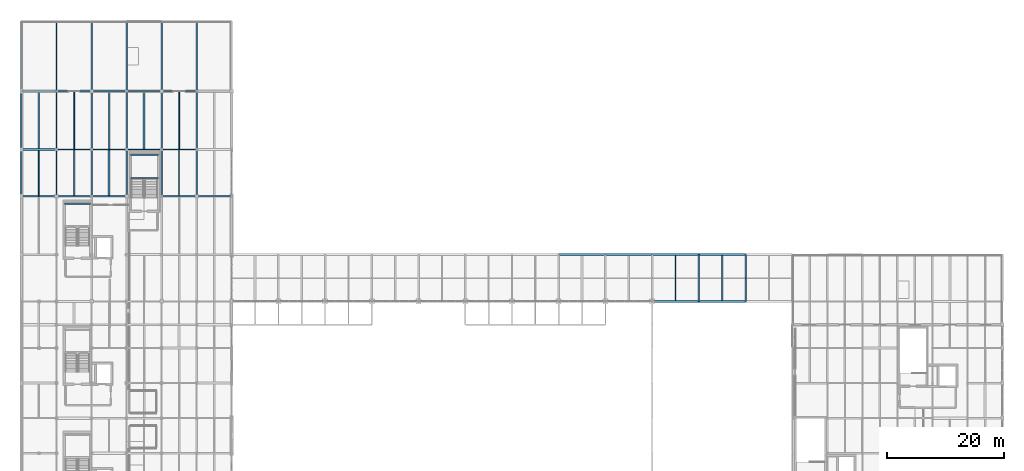
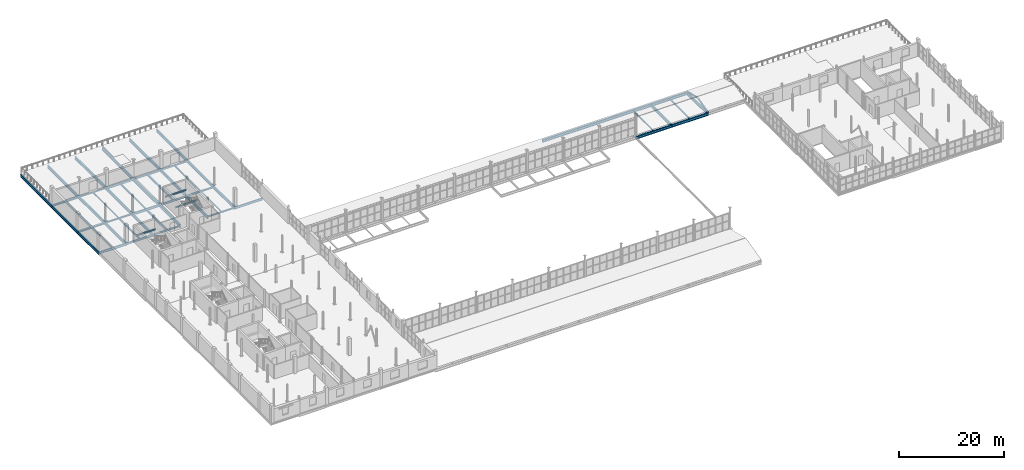
# One storey, part 55 of 96: 55 beams, 2 members.
"""IFC4 building model written with IfcOpenShell, lengths in metres."""

from ifc_helpers import new_model, si_unit, direction, frame, origin, origin_2d, place, context, subcontext, project, spatial, i_section, extrude, material, material_profile, profile_set, type_object, element, save


model = new_model("IFC4")

# Units and contexts
model_context = context("Model", 3, precision=1e-05, world=origin(), true_north=direction((0.0, 1.0)))
body_context = subcontext(model_context, "Body", "Model", "MODEL_VIEW")
ifc_project = project(units=[si_unit("LENGTHUNIT", "METRE"), si_unit("AREAUNIT", "SQUARE_METRE"), si_unit("VOLUMEUNIT", "CUBIC_METRE"), si_unit("PLANEANGLEUNIT", "RADIAN"), si_unit("MASSUNIT", "GRAM", prefix="KILO")], contexts=[model_context])

# Site, building, storey
site_placement = place(None, origin())
site = spatial("IfcSite", under=ifc_project, at=site_placement, CompositionType="ELEMENT")
building_placement = place(site_placement, origin())
building = spatial("IfcBuilding", under=site, at=building_placement, Name="Verrall Gate Interchange", CompositionType="ELEMENT")
storey_placement = place(building_placement, frame((0.0, 0.0, 11.39990234375)))
storey = spatial("IfcBuildingStorey", under=building, at=storey_placement, Name="L03", CompositionType="ELEMENT", Elevation=11.39990234375)

# Beams
ifc_material_1 = material(Name="Structural Steel CSA G40.21 350WT Cat 4", Category="steel")
ifc_material_profile_1 = material_profile(ifc_material_1, i_section(OverallWidth=0.256103515625, OverallDepth=0.693115234375, WebThickness=0.01318359375, FlangeThickness=0.02001953125, FilletRadius=0.01611328125, at=origin_2d()), Name="W690x170")
ifc_profile_set_1 = profile_set([ifc_material_profile_1], Name="Structural Steel CSA G40.21 350WT Cat 4")
beam_type_1 = type_object("IfcBeamType", Name="B-07 Structural Beam W690x170", PredefinedType="BEAM", material=ifc_profile_set_1)
beam_1_placement = place(storey_placement, frame((0.0, 66.0, -0.676513671875), z_axis=(0.0, 1.0, 0.0), x_axis=(-1.0, 0.0, 0.0)))
element("IfcBeam", 1, at=beam_1_placement, inside=storey, type_object=beam_type_1, Name="L03 Girder BM-L03-2184 (B-07)", PredefinedType="BEAM", context=body_context, shape_type="SweptSolid", body=[
    extrude(i_section(OverallWidth=0.256103515625, OverallDepth=0.693115234375, WebThickness=0.01318359375, FlangeThickness=0.02001953125, FilletRadius=0.01611328125, at=origin_2d()), origin(), (0.0, 0.0, 1.0), 8.0),
])
beam_2_placement = place(storey_placement, frame((0.0, 74.0, -0.676513671875), z_axis=(0.0, 1.0, 0.0), x_axis=(-1.0, 0.0, 0.0)))
element("IfcBeam", 2, at=beam_2_placement, inside=storey, type_object=beam_type_1, Name="L03 Girder BM-L03-2185 (B-07)", PredefinedType="BEAM", context=body_context, shape_type="SweptSolid", body=[
    extrude(i_section(OverallWidth=0.256103515625, OverallDepth=0.693115234375, WebThickness=0.01318359375, FlangeThickness=0.02001953125, FilletRadius=0.01611328125, at=origin_2d()), origin(), (0.0, 0.0, 1.0), 10.0),
])
beam_3_placement = place(storey_placement, frame((0.0, 84.0, -0.676513671875), z_axis=(0.0, 1.0, 0.0), x_axis=(-1.0, 0.0, 0.0)))
element("IfcBeam", 3, at=beam_3_placement, inside=storey, type_object=beam_type_1, Name="L03 Girder BM-L03-2186 (B-07)", PredefinedType="BEAM", context=body_context, shape_type="SweptSolid", body=[
    extrude(i_section(OverallWidth=0.256103515625, OverallDepth=0.693115234375, WebThickness=0.01318359375, FlangeThickness=0.02001953125, FilletRadius=0.01611328125, at=origin_2d()), origin(), (0.0, 0.0, 1.0), 12.0),
])
beam_4_placement = place(storey_placement, frame((6.0, 66.0, -0.676513671875), z_axis=(0.0, 1.0, 0.0), x_axis=(-1.0, 0.0, 0.0)))
element("IfcBeam", 4, at=beam_4_placement, inside=storey, type_object=beam_type_1, Name="L03 Girder BM-L03-2199 (B-07)", PredefinedType="BEAM", context=body_context, shape_type="SweptSolid", body=[
    extrude(i_section(OverallWidth=0.256103515625, OverallDepth=0.693115234375, WebThickness=0.01318359375, FlangeThickness=0.02001953125, FilletRadius=0.01611328125, at=origin_2d()), origin(), (0.0, 0.0, 1.0), 8.0),
])
beam_5_placement = place(storey_placement, frame((6.0, 74.0, -0.676513671875), z_axis=(0.0, 1.0, 0.0), x_axis=(-1.0, 0.0, 0.0)))
element("IfcBeam", 5, at=beam_5_placement, inside=storey, type_object=beam_type_1, Name="L03 Girder BM-L03-2200 (B-07)", PredefinedType="BEAM", context=body_context, shape_type="SweptSolid", body=[
    extrude(i_section(OverallWidth=0.256103515625, OverallDepth=0.693115234375, WebThickness=0.01318359375, FlangeThickness=0.02001953125, FilletRadius=0.01611328125, at=origin_2d()), origin(), (0.0, 0.0, 1.0), 10.0),
])
beam_6_placement = place(storey_placement, frame((6.0, 84.0, -0.676513671875), z_axis=(0.0, 1.0, 0.0), x_axis=(-1.0, 0.0, 0.0)))
element("IfcBeam", 6, at=beam_6_placement, inside=storey, type_object=beam_type_1, Name="L03 Girder BM-L03-2201 (B-07)", PredefinedType="BEAM", context=body_context, shape_type="SweptSolid", body=[
    extrude(i_section(OverallWidth=0.256103515625, OverallDepth=0.693115234375, WebThickness=0.01318359375, FlangeThickness=0.02001953125, FilletRadius=0.01611328125, at=origin_2d()), origin(), (0.0, 0.0, 1.0), 12.0),
])
beam_7_placement = place(storey_placement, frame((12.0, 66.0, -0.676513671875), z_axis=(0.0, 1.0, 0.0), x_axis=(-1.0, 0.0, 0.0)))
element("IfcBeam", 7, at=beam_7_placement, inside=storey, type_object=beam_type_1, Name="L03 Girder BM-L03-2213 (B-07)", PredefinedType="BEAM", context=body_context, shape_type="SweptSolid", body=[
    extrude(i_section(OverallWidth=0.256103515625, OverallDepth=0.693115234375, WebThickness=0.01318359375, FlangeThickness=0.02001953125, FilletRadius=0.01611328125, at=origin_2d()), origin(), (0.0, 0.0, 1.0), 8.0),
])
beam_8_placement = place(storey_placement, frame((12.0, 74.0, -0.676513671875), z_axis=(0.0, 1.0, 0.0), x_axis=(-1.0, 0.0, 0.0)))
element("IfcBeam", 8, at=beam_8_placement, inside=storey, type_object=beam_type_1, Name="L03 Girder BM-L03-2214 (B-07)", PredefinedType="BEAM", context=body_context, shape_type="SweptSolid", body=[
    extrude(i_section(OverallWidth=0.256103515625, OverallDepth=0.693115234375, WebThickness=0.01318359375, FlangeThickness=0.02001953125, FilletRadius=0.01611328125, at=origin_2d()), origin(), (0.0, 0.0, 1.0), 10.0),
])
beam_9_placement = place(storey_placement, frame((12.0, 84.0, -0.676513671875), z_axis=(0.0, 1.0, 0.0), x_axis=(-1.0, 0.0, 0.0)))
element("IfcBeam", 9, at=beam_9_placement, inside=storey, type_object=beam_type_1, Name="L03 Girder BM-L03-2215 (B-07)", PredefinedType="BEAM", context=body_context, shape_type="SweptSolid", body=[
    extrude(i_section(OverallWidth=0.256103515625, OverallDepth=0.693115234375, WebThickness=0.01318359375, FlangeThickness=0.02001953125, FilletRadius=0.01611328125, at=origin_2d()), origin(), (0.0, 0.0, 1.0), 12.0),
])
beam_10_placement = place(storey_placement, frame((18.0, 66.0, -0.676513671875), z_axis=(0.0, 1.0, 0.0), x_axis=(-1.0, 0.0, 0.0)))
element("IfcBeam", 10, at=beam_10_placement, inside=storey, type_object=beam_type_1, Name="L03 Girder BM-L03-2227 (B-07)", PredefinedType="BEAM", context=body_context, shape_type="SweptSolid", body=[
    extrude(i_section(OverallWidth=0.256103515625, OverallDepth=0.693115234375, WebThickness=0.01318359375, FlangeThickness=0.02001953125, FilletRadius=0.01611328125, at=origin_2d()), origin(), (0.0, 0.0, 1.0), 8.0),
])
beam_11_placement = place(storey_placement, frame((18.0, 74.0, -0.676513671875), z_axis=(0.0, 1.0, 0.0), x_axis=(-1.0, 0.0, 0.0)))
element("IfcBeam", 11, at=beam_11_placement, inside=storey, type_object=beam_type_1, Name="L03 Girder BM-L03-2228 (B-07)", PredefinedType="BEAM", context=body_context, shape_type="SweptSolid", body=[
    extrude(i_section(OverallWidth=0.256103515625, OverallDepth=0.693115234375, WebThickness=0.01318359375, FlangeThickness=0.02001953125, FilletRadius=0.01611328125, at=origin_2d()), origin(), (0.0, 0.0, 1.0), 10.0),
])
beam_12_placement = place(storey_placement, frame((18.0, 84.0, -0.676513671875), z_axis=(0.0, 1.0, 0.0), x_axis=(-1.0, 0.0, 0.0)))
element("IfcBeam", 12, at=beam_12_placement, inside=storey, type_object=beam_type_1, Name="L03 Girder BM-L03-2229 (B-07)", PredefinedType="BEAM", context=body_context, shape_type="SweptSolid", body=[
    extrude(i_section(OverallWidth=0.256103515625, OverallDepth=0.693115234375, WebThickness=0.01318359375, FlangeThickness=0.02001953125, FilletRadius=0.01611328125, at=origin_2d()), origin(), (0.0, 0.0, 1.0), 12.0),
])
beam_13_placement = place(storey_placement, frame((24.0, 66.0, -0.676513671875), z_axis=(0.0, 1.0, 0.0), x_axis=(-1.0, 0.0, 0.0)))
element("IfcBeam", 13, at=beam_13_placement, inside=storey, type_object=beam_type_1, Name="L03 Girder BM-L03-2241 (B-07)", PredefinedType="BEAM", context=body_context, shape_type="SweptSolid", body=[
    extrude(i_section(OverallWidth=0.256103515625, OverallDepth=0.693115234375, WebThickness=0.01318359375, FlangeThickness=0.02001953125, FilletRadius=0.01611328125, at=origin_2d()), origin(), (0.0, 0.0, 1.0), 8.0),
])
beam_14_placement = place(storey_placement, frame((24.0, 74.0, -0.676513671875), z_axis=(0.0, 1.0, 0.0), x_axis=(-1.0, 0.0, 0.0)))
element("IfcBeam", 14, at=beam_14_placement, inside=storey, type_object=beam_type_1, Name="L03 Girder BM-L03-2242 (B-07)", PredefinedType="BEAM", context=body_context, shape_type="SweptSolid", body=[
    extrude(i_section(OverallWidth=0.256103515625, OverallDepth=0.693115234375, WebThickness=0.01318359375, FlangeThickness=0.02001953125, FilletRadius=0.01611328125, at=origin_2d()), origin(), (0.0, 0.0, 1.0), 10.0),
])
beam_15_placement = place(storey_placement, frame((24.0, 84.0, -0.676513671875), z_axis=(0.0, 1.0, 0.0), x_axis=(-1.0, 0.0, 0.0)))
element("IfcBeam", 15, at=beam_15_placement, inside=storey, type_object=beam_type_1, Name="L03 Girder BM-L03-2243 (B-07)", PredefinedType="BEAM", context=body_context, shape_type="SweptSolid", body=[
    extrude(i_section(OverallWidth=0.256103515625, OverallDepth=0.693115234375, WebThickness=0.01318359375, FlangeThickness=0.02001953125, FilletRadius=0.01611328125, at=origin_2d()), origin(), (0.0, 0.0, 1.0), 12.0),
])
beam_16_placement = place(storey_placement, frame((30.0, 66.0, -0.676513671875), z_axis=(0.0, 1.0, 0.0), x_axis=(-1.0, 0.0, 0.0)))
element("IfcBeam", 16, at=beam_16_placement, inside=storey, type_object=beam_type_1, Name="L03 Girder BM-L03-2255 (B-07)", PredefinedType="BEAM", context=body_context, shape_type="SweptSolid", body=[
    extrude(i_section(OverallWidth=0.256103515625, OverallDepth=0.693115234375, WebThickness=0.01318359375, FlangeThickness=0.02001953125, FilletRadius=0.01611328125, at=origin_2d()), origin(), (0.0, 0.0, 1.0), 8.0),
])
beam_17_placement = place(storey_placement, frame((30.0, 74.0, -0.676513671875), z_axis=(0.0, 1.0, 0.0), x_axis=(-1.0, 0.0, 0.0)))
element("IfcBeam", 17, at=beam_17_placement, inside=storey, type_object=beam_type_1, Name="L03 Girder BM-L03-2256 (B-07)", PredefinedType="BEAM", context=body_context, shape_type="SweptSolid", body=[
    extrude(i_section(OverallWidth=0.256103515625, OverallDepth=0.693115234375, WebThickness=0.01318359375, FlangeThickness=0.02001953125, FilletRadius=0.01611328125, at=origin_2d()), origin(), (0.0, 0.0, 1.0), 10.0),
])
beam_18_placement = place(storey_placement, frame((30.0, 84.0, -0.676513671875), z_axis=(0.0, 1.0, 0.0), x_axis=(-1.0, 0.0, 0.0)))
element("IfcBeam", 18, at=beam_18_placement, inside=storey, type_object=beam_type_1, Name="L03 Girder BM-L03-2257 (B-07)", PredefinedType="BEAM", context=body_context, shape_type="SweptSolid", body=[
    extrude(i_section(OverallWidth=0.256103515625, OverallDepth=0.693115234375, WebThickness=0.01318359375, FlangeThickness=0.02001953125, FilletRadius=0.01611328125, at=origin_2d()), origin(), (0.0, 0.0, 1.0), 12.0),
])
for number, where, z_axis, x_axis, name in (
    (19, (116.0, 48.0, -0.676513671875), (0.0, 1.0, 0.0), (-1.0, 0.0, 0.0), "L03 Girder BM-L03-2321 (B-07)"),
    (20, (124.0, 48.0, -0.676513671875), (0.0, 1.0, 0.0), (-1.0, 0.0, 0.0), "L03 Girder BM-L03-2322 (B-07)"),
):
    element("IfcBeam", number, at=place(storey_placement, frame(where, z_axis=z_axis, x_axis=x_axis)), inside=storey, type_object=beam_type_1, Name=name, PredefinedType="BEAM", context=body_context, shape_type="SweptSolid", body=[
        extrude(i_section(OverallWidth=0.256103515625, OverallDepth=0.693115234375, WebThickness=0.01318359375, FlangeThickness=0.02001953125, FilletRadius=0.01611328125, at=origin_2d()), origin(), (0.0, 0.0, 1.0), 8.0),
    ])
ifc_material_2 = material(Name="Structural Steel CSA G40.21 350WT Cat 4", Category="steel")
ifc_material_profile_2 = material_profile(ifc_material_2, i_section(OverallWidth=0.323974609375, OverallDepth=0.611083984375, WebThickness=0.0126953125, FlangeThickness=0.01904296875, FilletRadius=0.014892578125, at=origin_2d()), Name="W610x155")
ifc_profile_set_2 = profile_set([ifc_material_profile_2], Name="Structural Steel CSA G40.21 350WT Cat 4")
beam_type_2 = type_object("IfcBeamType", Name="B-08 Structural Beam W610x155", PredefinedType="BEAM", material=ifc_profile_set_2)
for number, where, z_axis, x_axis, name in (
    (21, (108.0, 48.0, -0.635498046875), (1.0, 0.0, 0.0), (0.0, 1.0, 0.0), "L03 Girder BM-L03-2119 (B-08)"),
    (22, (116.0, 48.0, -0.635498046875), (1.0, 0.0, 0.0), (0.0, 1.0, 0.0), "L03 Girder BM-L03-2120 (B-08)"),
    (23, (92.0, 56.0, -0.635498046875), (1.0, 0.0, 0.0), (0.0, 1.0, 0.0), "L03 Girder BM-L03-2139 (B-08)"),
    (24, (100.0, 56.0, -0.635498046875), (1.0, 0.0, 0.0), (0.0, 1.0, 0.0), "L03 Girder BM-L03-2140 (B-08)"),
    (25, (108.0, 56.0, -0.635498046875), (1.0, 0.0, 0.0), (0.0, 1.0, 0.0), "L03 Girder BM-L03-2141 (B-08)"),
    (26, (116.0, 56.0, -0.635498046875), (1.0, 0.0, 0.0), (0.0, 1.0, 0.0), "L03 Girder BM-L03-2142 (B-08)"),
):
    element("IfcBeam", number, at=place(storey_placement, frame(where, z_axis=z_axis, x_axis=x_axis)), inside=storey, type_object=beam_type_2, Name=name, PredefinedType="BEAM", context=body_context, shape_type="SweptSolid", body=[
        extrude(i_section(OverallWidth=0.323974609375, OverallDepth=0.611083984375, WebThickness=0.0126953125, FlangeThickness=0.01904296875, FilletRadius=0.014892578125, at=origin_2d()), origin(), (0.0, 0.0, 1.0), 8.0),
    ])
ifc_material_3 = material(Name="Structural Steel CSA G40.21 350W", Category="steel")
ifc_material_profile_3 = material_profile(ifc_material_3, i_section(OverallWidth=0.2109375, OverallDepth=0.5390625, WebThickness=0.01171875, FlangeThickness=0.018798828125, FilletRadius=0.013916015625, at=origin_2d()), Name="W530x109")
ifc_profile_set_3 = profile_set([ifc_material_profile_3], Name="Structural Steel CSA G40.21 350W")
beam_type_3 = type_object("IfcBeamType", Name="B-10 Structural Beam W530x109", PredefinedType="BEAM", material=ifc_profile_set_3)
for number, where, z_axis, x_axis, name in (
    (27, (0.0, 66.0, -0.599365234375), (1.0, 0.0, 0.0), (0.0, 1.0, 0.0), "L03 Girder BM-L03-2150 (B-10)"),
    (28, (30.0, 66.0, -0.599365234375), (1.0, 0.0, 0.0), (0.0, 1.0, 0.0), "L03 Girder BM-L03-2154 (B-10)"),
    (29, (12.0, 74.0, -0.599365234375), (1.0, 0.0, 0.0), (0.0, 1.0, 0.0), "L03 Girder BM-L03-2157 (B-10)"),
    (30, (12.0, 84.0, -0.599365234375), (1.0, 0.0, 0.0), (0.0, 1.0, 0.0), "L03 Girder BM-L03-2163 (B-10)"),
):
    element("IfcBeam", number, at=place(storey_placement, frame(where, z_axis=z_axis, x_axis=x_axis)), inside=storey, type_object=beam_type_3, Name=name, PredefinedType="BEAM", context=body_context, shape_type="SweptSolid", body=[
        extrude(i_section(OverallWidth=0.2109375, OverallDepth=0.5390625, WebThickness=0.01171875, FlangeThickness=0.018798828125, FilletRadius=0.013916015625, at=origin_2d()), origin(), (0.0, 0.0, 1.0), 6.0),
    ])
ifc_material_4 = material(Name="Structural Steel CSA G40.21 350W", Category="steel")
ifc_material_profile_4 = material_profile(ifc_material_4, i_section(OverallWidth=0.19189453125, OverallDepth=0.462890625, WebThickness=0.010498046875, FlangeThickness=0.017578125, FilletRadius=0.012939453125, at=origin_2d()), Name="W460x89")
ifc_profile_set_4 = profile_set([ifc_material_profile_4], Name="Structural Steel CSA G40.21 350W")
beam_type_4 = type_object("IfcBeamType", Name="B-11 Structural Beam W460x89", PredefinedType="BEAM", material=ifc_profile_set_4)
for number, where, z_axis, x_axis, name in (
    (31, (6.0, 66.0, -0.5615234375), (1.0, 0.0, 0.0), (0.0, 1.0, 0.0), "L03 Girder BM-L03-2151 (B-11)"),
    (32, (18.0, 74.0, -0.5615234375), (1.0, 0.0, 0.0), (0.0, 1.0, 0.0), "L03 Girder BM-L03-2158 (B-11)"),
    (33, (18.0, 84.0, -0.5615234375), (1.0, 0.0, 0.0), (0.0, 1.0, 0.0), "L03 Girder BM-L03-2164 (B-11)"),
):
    element("IfcBeam", number, at=place(storey_placement, frame(where, z_axis=z_axis, x_axis=x_axis)), inside=storey, type_object=beam_type_4, Name=name, PredefinedType="BEAM", context=body_context, shape_type="SweptSolid", body=[
        extrude(i_section(OverallWidth=0.19189453125, OverallDepth=0.462890625, WebThickness=0.010498046875, FlangeThickness=0.017578125, FilletRadius=0.012939453125, at=origin_2d()), origin(), (0.0, 0.0, 1.0), 6.0),
    ])
ifc_material_5 = material(Name="Structural Steel CSA G40.21 350W", Category="steel")
ifc_material_profile_5 = material_profile(ifc_material_5, i_section(OverallWidth=0.178955078125, OverallDepth=0.409912109375, WebThickness=0.0087890625, FlangeThickness=0.014404296875, FilletRadius=0.011962890625, at=origin_2d()), Name="W410x67")
ifc_profile_set_5 = profile_set([ifc_material_profile_5], Name="Structural Steel CSA G40.21 350W")
beam_type_5 = type_object("IfcBeamType", Name="B-12 Structural Beam W410x67", PredefinedType="BEAM", material=ifc_profile_set_5)
for number, where, z_axis, x_axis, name in (
    (34, (12.0, 66.0, -0.534912109375), (1.0, 0.0, 0.0), (0.0, 1.0, 0.0), "L03 Girder BM-L03-2152 (B-12)"),
    (35, (24.0, 74.0, -0.534912109375), (1.0, 0.0, 0.0), (0.0, 1.0, 0.0), "L03 Girder BM-L03-2159 (B-12)"),
    (36, (24.0, 84.0, -0.534912109375), (1.0, 0.0, 0.0), (0.0, 1.0, 0.0), "L03 Girder BM-L03-2165 (B-12)"),
):
    element("IfcBeam", number, at=place(storey_placement, frame(where, z_axis=z_axis, x_axis=x_axis)), inside=storey, type_object=beam_type_5, Name=name, PredefinedType="BEAM", context=body_context, shape_type="SweptSolid", body=[
        extrude(i_section(OverallWidth=0.178955078125, OverallDepth=0.409912109375, WebThickness=0.0087890625, FlangeThickness=0.014404296875, FilletRadius=0.011962890625, at=origin_2d()), origin(), (0.0, 0.0, 1.0), 6.0),
    ])
ifc_material_6 = material(Name="Structural Steel CSA G40.21 350W", Category="steel")
ifc_material_profile_6 = material_profile(ifc_material_6, i_section(OverallWidth=0.368896484375, OverallDepth=0.35595703125, WebThickness=0.01123046875, FlangeThickness=0.01806640625, FilletRadius=0.014892578125, at=origin_2d()), Name="W360x134")
ifc_profile_set_6 = profile_set([ifc_material_profile_6], Name="Structural Steel CSA G40.21 350W")
beam_type_6 = type_object("IfcBeamType", Name="B-13 Structural Beam W360x134", PredefinedType="BEAM", material=ifc_profile_set_6)
for number, where, z_axis, x_axis, name in (
    (37, (0.0, 74.0, -0.5078125), (1.0, 0.0, 0.0), (0.0, 1.0, 0.0), "L03 Girder BM-L03-2155 (B-13)"),
    (38, (0.0, 84.0, -0.5078125), (1.0, 0.0, 0.0), (0.0, 1.0, 0.0), "L03 Girder BM-L03-2161 (B-13)"),
):
    element("IfcBeam", number, at=place(storey_placement, frame(where, z_axis=z_axis, x_axis=x_axis)), inside=storey, type_object=beam_type_6, Name=name, PredefinedType="BEAM", context=body_context, shape_type="SweptSolid", body=[
        extrude(i_section(OverallWidth=0.368896484375, OverallDepth=0.35595703125, WebThickness=0.01123046875, FlangeThickness=0.01806640625, FilletRadius=0.014892578125, at=origin_2d()), origin(), (0.0, 0.0, 1.0), 6.0),
    ])
ifc_material_7 = material(Name="Structural Steel CSA G40.21 350W", Category="steel")
ifc_material_profile_7 = material_profile(ifc_material_7, i_section(OverallWidth=0.205078125, OverallDepth=0.35400390625, WebThickness=0.009521484375, FlangeThickness=0.016845703125, FilletRadius=0.012939453125, at=origin_2d()), Name="W360x79")
ifc_profile_set_7 = profile_set([ifc_material_profile_7], Name="Structural Steel CSA G40.21 350W")
beam_type_7 = type_object("IfcBeamType", Name="B-14 Structural Beam W360x79", PredefinedType="BEAM", material=ifc_profile_set_7)
for number, where, z_axis, x_axis, name in (
    (39, (24.0, 66.0, -0.5068359375), (1.0, 0.0, 0.0), (0.0, 1.0, 0.0), "L03 Girder BM-L03-2153 (B-14)"),
    (40, (6.0, 74.0, -0.5068359375), (1.0, 0.0, 0.0), (0.0, 1.0, 0.0), "L03 Girder BM-L03-2156 (B-14)"),
    (41, (6.0, 84.0, -0.5068359375), (1.0, 0.0, 0.0), (0.0, 1.0, 0.0), "L03 Girder BM-L03-2162 (B-14)"),
):
    element("IfcBeam", number, at=place(storey_placement, frame(where, z_axis=z_axis, x_axis=x_axis)), inside=storey, type_object=beam_type_7, Name=name, PredefinedType="BEAM", context=body_context, shape_type="SweptSolid", body=[
        extrude(i_section(OverallWidth=0.205078125, OverallDepth=0.35400390625, WebThickness=0.009521484375, FlangeThickness=0.016845703125, FilletRadius=0.012939453125, at=origin_2d()), origin(), (0.0, 0.0, 1.0), 6.0),
    ])
beam_19_placement = place(storey_placement, frame((7.35009765625, 64.719970703125, 1.630126953125), z_axis=(1.0, 0.0, 0.0), x_axis=(0.0, 1.0, 0.0)))
element("IfcBeam", 42, at=beam_19_placement, inside=storey, type_object=beam_type_7, Name="L03 Core C3 Mid-Landing Beam 2", PredefinedType="BEAM", context=body_context, shape_type="SweptSolid", body=[
    extrude(i_section(OverallWidth=0.205078125, OverallDepth=0.35400390625, WebThickness=0.009521484375, FlangeThickness=0.016845703125, FilletRadius=0.012939453125, at=origin_2d()), origin(), (0.0, 0.0, 1.0), 4.5),
])
for number, where, z_axis, x_axis, name in (
    (43, (18.6298828125, 69.110107421875, 1.630126953125), (1.0, 0.0, 0.0), (0.0, 1.0, 0.0), "L03 Core C4 Mid-Landing Beam 1"),
    (44, (18.6298828125, 73.1201171875, 1.630126953125), (1.0, 0.0, 0.0), (0.0, 1.0, 0.0), "L03 Core C4 Mid-Landing Beam 2"),
):
    element("IfcBeam", number, at=place(storey_placement, frame(where, z_axis=z_axis, x_axis=x_axis)), inside=storey, type_object=beam_type_7, Name=name, PredefinedType="BEAM", context=body_context, shape_type="SweptSolid", body=[
        extrude(i_section(OverallWidth=0.205078125, OverallDepth=0.35400390625, WebThickness=0.009521484375, FlangeThickness=0.016845703125, FilletRadius=0.012939453125, at=origin_2d()), origin(), (0.0, 0.0, 1.0), 4.840087890625),
    ])
ifc_material_8 = material(Name="Structural Steel CSA G40.21 350W", Category="steel")
ifc_material_profile_8 = material_profile(ifc_material_8, i_section(OverallWidth=0.172119140625, OverallDepth=0.35791015625, WebThickness=0.0078125, FlangeThickness=0.01318359375, FilletRadius=0.010986328125, at=origin_2d()), Name="W360x57")
ifc_profile_set_8 = profile_set([ifc_material_profile_8], Name="Structural Steel CSA G40.21 350W")
beam_type_8 = type_object("IfcBeamType", Name="J-01 Floor Joist W360x57", PredefinedType="JOIST", material=ifc_profile_set_8)
beam_20_placement = place(storey_placement, frame((27.0, 74.089599609375, -0.5087890625), z_axis=(0.0, 1.0, 0.0), x_axis=(-1.0, 0.0, 0.0)))
element("IfcBeam", 45, at=beam_20_placement, inside=storey, type_object=beam_type_8, Name="L03 Secondary Floor Joist JST-L03-2513", PredefinedType="JOIST", context=body_context, shape_type="SweptSolid", body=[
    extrude(i_section(OverallWidth=0.172119140625, OverallDepth=0.35791015625, WebThickness=0.0078125, FlangeThickness=0.01318359375, FilletRadius=0.010986328125, at=origin_2d()), origin(), (0.0, 0.0, 1.0), 9.82080078125),
])
ifc_material_9 = material(Name="Structural Steel CSA G40.21 350W", Category="steel")
ifc_material_profile_9 = material_profile(ifc_material_9, i_section(OverallWidth=0.306884765625, OverallDepth=0.31396484375, WebThickness=0.011962890625, FlangeThickness=0.018798828125, FilletRadius=0.013916015625, at=origin_2d()), Name="W310x118")
ifc_profile_set_9 = profile_set([ifc_material_profile_9], Name="Structural Steel CSA G40.21 350W")
beam_type_9 = type_object("IfcBeamType", Name="J-02 Floor Joist W310x118", PredefinedType="JOIST", material=ifc_profile_set_9)
beam_21_placement = place(storey_placement, frame((15.0, 66.089599609375, -0.48681640625), z_axis=(0.0, 1.0, 0.0), x_axis=(-1.0, 0.0, 0.0)))
element("IfcBeam", 46, at=beam_21_placement, inside=storey, type_object=beam_type_9, Name="L03 Secondary Floor Joist JST-L03-2506", PredefinedType="JOIST", context=body_context, shape_type="SweptSolid", body=[
    extrude(i_section(OverallWidth=0.306884765625, OverallDepth=0.31396484375, WebThickness=0.011962890625, FlangeThickness=0.018798828125, FilletRadius=0.013916015625, at=origin_2d()), origin(), (0.0, 0.0, 1.0), 7.804931640625),
])
beam_22_placement = place(storey_placement, frame((21.0, 74.095947265625, -0.48681640625), z_axis=(0.0, 1.0, 0.0), x_axis=(-1.0, 0.0, 0.0)))
element("IfcBeam", 47, at=beam_22_placement, inside=storey, type_object=beam_type_9, Name="L03 Secondary Floor Joist JST-L03-2512", PredefinedType="JOIST", context=body_context, shape_type="SweptSolid", body=[
    extrude(i_section(OverallWidth=0.306884765625, OverallDepth=0.31396484375, WebThickness=0.011962890625, FlangeThickness=0.018798828125, FilletRadius=0.013916015625, at=origin_2d()), origin(), (0.0, 0.0, 1.0), 9.80810546875),
])
ifc_material_10 = material(Name="Structural Steel CSA G40.21 350W", Category="steel")
ifc_material_profile_10 = material_profile(ifc_material_10, i_section(OverallWidth=0.25390625, OverallDepth=0.305908203125, WebThickness=0.0087890625, FlangeThickness=0.0146484375, FilletRadius=0.012939453125, at=origin_2d()), Name="W310x79")
ifc_profile_set_10 = profile_set([ifc_material_profile_10], Name="Structural Steel CSA G40.21 350W")
beam_type_10 = type_object("IfcBeamType", Name="J-03 Floor Joist W310x79", PredefinedType="JOIST", material=ifc_profile_set_10)
beam_23_placement = place(storey_placement, frame((9.0, 66.095947265625, -0.48291015625), z_axis=(0.0, 1.0, 0.0), x_axis=(-1.0, 0.0, 0.0)))
element("IfcBeam", 48, at=beam_23_placement, inside=storey, type_object=beam_type_10, Name="L03 Secondary Floor Joist JST-L03-2505", PredefinedType="JOIST", context=body_context, shape_type="SweptSolid", body=[
    extrude(i_section(OverallWidth=0.25390625, OverallDepth=0.305908203125, WebThickness=0.0087890625, FlangeThickness=0.0146484375, FilletRadius=0.012939453125, at=origin_2d()), origin(), (0.0, 0.0, 1.0), 7.801513671875),
])
beam_24_placement = place(storey_placement, frame((15.0, 74.10546875, -0.48291015625), z_axis=(0.0, 1.0, 0.0), x_axis=(-1.0, 0.0, 0.0)))
element("IfcBeam", 49, at=beam_24_placement, inside=storey, type_object=beam_type_10, Name="L03 Secondary Floor Joist JST-L03-2511", PredefinedType="JOIST", context=body_context, shape_type="SweptSolid", body=[
    extrude(i_section(OverallWidth=0.25390625, OverallDepth=0.305908203125, WebThickness=0.0087890625, FlangeThickness=0.0146484375, FilletRadius=0.012939453125, at=origin_2d()), origin(), (0.0, 0.0, 1.0), 9.7890625),
])
ifc_material_11 = material(Name="Structural Steel CSA G40.21 350W", Category="steel")
ifc_material_profile_11 = material_profile(ifc_material_11, i_section(OverallWidth=0.1650390625, OverallDepth=0.31005859375, WebThickness=0.005859375, FlangeThickness=0.009765625, FilletRadius=0.010009765625, at=origin_2d()), Name="W310x39")
ifc_profile_set_11 = profile_set([ifc_material_profile_11], Name="Structural Steel CSA G40.21 350W")
beam_type_11 = type_object("IfcBeamType", Name="J-04 Floor Joist W310x39", PredefinedType="JOIST", material=ifc_profile_set_11)
beam_25_placement = place(storey_placement, frame((112.0, 48.162109375, -0.48486328125), z_axis=(0.0, 1.0, 0.0), x_axis=(-1.0, 0.0, 0.0)))
element("IfcBeam", 50, at=beam_25_placement, inside=storey, type_object=beam_type_11, Name="L03 Secondary Floor Joist JST-L03-2492", PredefinedType="JOIST", context=body_context, shape_type="SweptSolid", body=[
    extrude(i_section(OverallWidth=0.1650390625, OverallDepth=0.31005859375, WebThickness=0.005859375, FlangeThickness=0.009765625, FilletRadius=0.010009765625, at=origin_2d()), origin(), (0.0, 0.0, 1.0), 7.67578125),
])
beam_26_placement = place(storey_placement, frame((3.0, 66.10546875, -0.48486328125), z_axis=(0.0, 1.0, 0.0), x_axis=(-1.0, 0.0, 0.0)))
element("IfcBeam", 51, at=beam_26_placement, inside=storey, type_object=beam_type_11, Name="L03 Secondary Floor Joist JST-L03-2504", PredefinedType="JOIST", context=body_context, shape_type="SweptSolid", body=[
    extrude(i_section(OverallWidth=0.1650390625, OverallDepth=0.31005859375, WebThickness=0.005859375, FlangeThickness=0.009765625, FilletRadius=0.010009765625, at=origin_2d()), origin(), (0.0, 0.0, 1.0), 7.7099609375),
])
beam_27_placement = place(storey_placement, frame((9.0, 74.1025390625, -0.48486328125), z_axis=(0.0, 1.0, 0.0), x_axis=(-1.0, 0.0, 0.0)))
element("IfcBeam", 52, at=beam_27_placement, inside=storey, type_object=beam_type_11, Name="L03 Secondary Floor Joist JST-L03-2510", PredefinedType="JOIST", context=body_context, shape_type="SweptSolid", body=[
    extrude(i_section(OverallWidth=0.1650390625, OverallDepth=0.31005859375, WebThickness=0.005859375, FlangeThickness=0.009765625, FilletRadius=0.010009765625, at=origin_2d()), origin(), (0.0, 0.0, 1.0), 9.794921875),
])
ifc_material_12 = material(Name="Structural Steel CSA G40.21 350W", Category="steel")
ifc_material_profile_12 = material_profile(ifc_material_12, i_section(OverallWidth=0.25390625, OverallDepth=0.2529296875, WebThickness=0.008544921875, FlangeThickness=0.01416015625, FilletRadius=0.011962890625, at=origin_2d()), Name="W250x73")
ifc_profile_set_12 = profile_set([ifc_material_profile_12], Name="Structural Steel CSA G40.21 350W")
beam_type_12 = type_object("IfcBeamType", Name="J-05 Floor Joist W250x73", PredefinedType="JOIST", material=ifc_profile_set_12)
beam_28_placement = place(storey_placement, frame((120.0, 48.162109375, -0.456298828125), z_axis=(0.0, 1.0, 0.0), x_axis=(-1.0, 0.0, 0.0)))
element("IfcBeam", 53, at=beam_28_placement, inside=storey, type_object=beam_type_12, Name="L03 Secondary Floor Joist JST-L03-2493", PredefinedType="JOIST", context=body_context, shape_type="SweptSolid", body=[
    extrude(i_section(OverallWidth=0.25390625, OverallDepth=0.2529296875, WebThickness=0.008544921875, FlangeThickness=0.01416015625, FilletRadius=0.011962890625, at=origin_2d()), origin(), (0.0, 0.0, 1.0), 7.67578125),
])
beam_29_placement = place(storey_placement, frame((3.0, 74.1845703125, -0.456298828125), z_axis=(0.0, 1.0, 0.0), x_axis=(-1.0, 0.0, 0.0)))
element("IfcBeam", 54, at=beam_29_placement, inside=storey, type_object=beam_type_12, Name="L03 Secondary Floor Joist JST-L03-2509", PredefinedType="JOIST", context=body_context, shape_type="SweptSolid", body=[
    extrude(i_section(OverallWidth=0.25390625, OverallDepth=0.2529296875, WebThickness=0.008544921875, FlangeThickness=0.01416015625, FilletRadius=0.011962890625, at=origin_2d()), origin(), (0.0, 0.0, 1.0), 9.630859375),
])
ifc_material_13 = material(Name="Structural Steel CSA G40.21 350W", Category="steel")
ifc_material_profile_13 = material_profile(ifc_material_13, i_section(OverallWidth=0.202880859375, OverallDepth=0.202880859375, WebThickness=0.007080078125, FlangeThickness=0.010986328125, FilletRadius=0.010009765625, at=origin_2d()), Name="W200x46")
ifc_profile_set_13 = profile_set([ifc_material_profile_13], Name="Structural Steel CSA G40.21 350W")
beam_type_13 = type_object("IfcBeamType", Name="J-07 Floor Joist W200x46", PredefinedType="JOIST", material=ifc_profile_set_13)
beam_30_placement = place(storey_placement, frame((27.0, 66.1025390625, -0.431396484375), z_axis=(0.0, 1.0, 0.0), x_axis=(-1.0, 0.0, 0.0)))
element("IfcBeam", 55, at=beam_30_placement, inside=storey, type_object=beam_type_13, Name="L03 Secondary Floor Joist JST-L03-2507", PredefinedType="JOIST", context=body_context, shape_type="SweptSolid", body=[
    extrude(i_section(OverallWidth=0.202880859375, OverallDepth=0.202880859375, WebThickness=0.007080078125, FlangeThickness=0.010986328125, FilletRadius=0.010009765625, at=origin_2d()), origin(), (0.0, 0.0, 1.0), 7.807861328125),
])

# Members
ifc_material_14 = material(Name="Structural Steel CSA G40.21 350WT Cat 4", Category="steel")
ifc_material_profile_14 = material_profile(ifc_material_14, i_section(OverallWidth=0.25390625, OverallDepth=0.305908203125, WebThickness=0.0087890625, FlangeThickness=0.0146484375, FilletRadius=0.012939453125, at=origin_2d()), Name="W310x79")
ifc_profile_set_14 = profile_set([ifc_material_profile_14], Name="Structural Steel CSA G40.21 350WT Cat 4")
member_type = type_object("IfcMemberType", Name="RF-03 Folded Roof Rafter W310x79", PredefinedType="RAFTER", material=ifc_profile_set_14)
for number, where, z_axis, x_axis, name in (
    (56, (124.0, 48.0, -0.31982421875), (0.0, 0.970717098228, 0.240225550696), (-1.0, 0.0, 0.0), "Gallery Roof Rafter S 124"),
    (57, (124.0, 56.0, -0.31982421875), (0.0, -0.970717098228, 0.240225550696), (1.0, 0.0, 0.0), "Gallery Roof Rafter N 124"),
):
    element("IfcMember", number, at=place(storey_placement, frame(where, z_axis=z_axis, x_axis=x_axis)), inside=storey, type_object=member_type, Name=name, PredefinedType="RAFTER", context=body_context, shape_type="SweptSolid", body=[
        extrude(i_section(OverallWidth=0.25390625, OverallDepth=0.305908203125, WebThickness=0.0087890625, FlangeThickness=0.0146484375, FilletRadius=0.012939453125, at=origin_2d()), origin(), (0.0, 0.0, 1.0), 4.079345703125),
    ])

save(model, "model.ifc")
